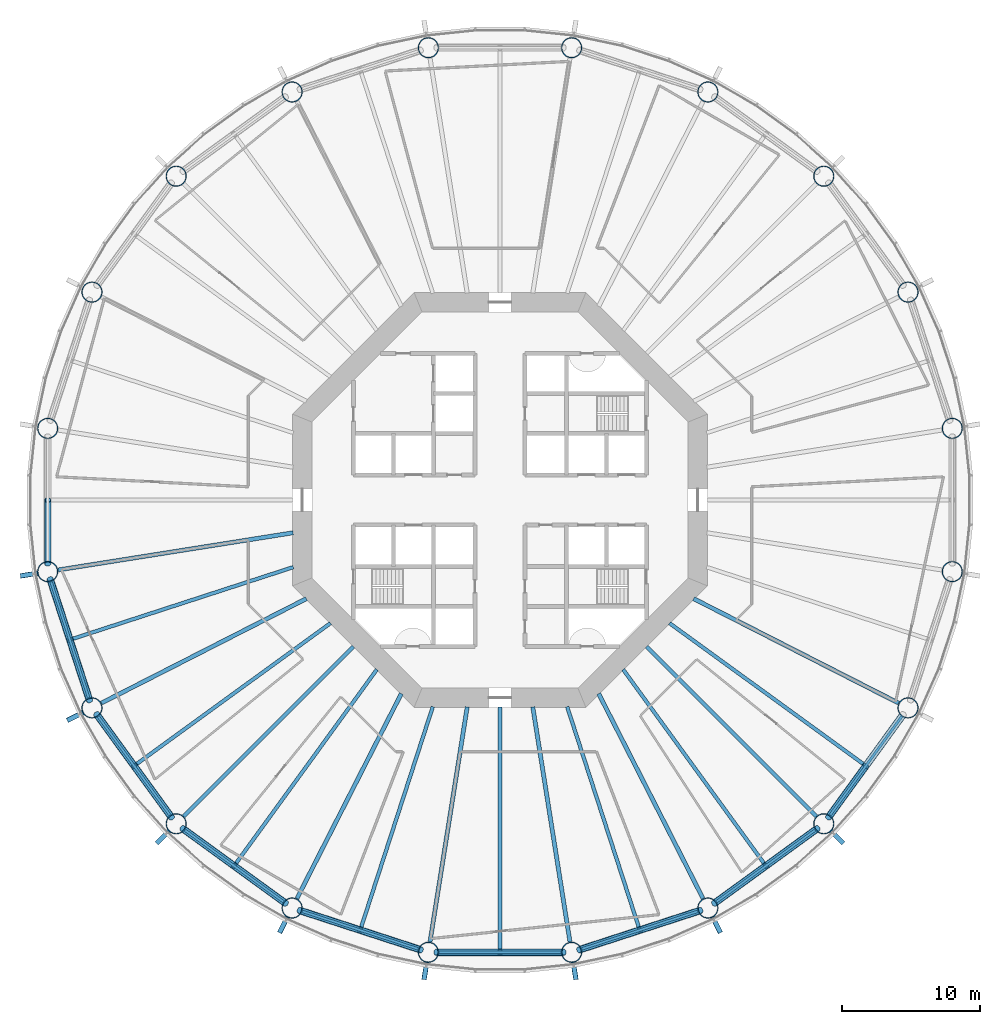
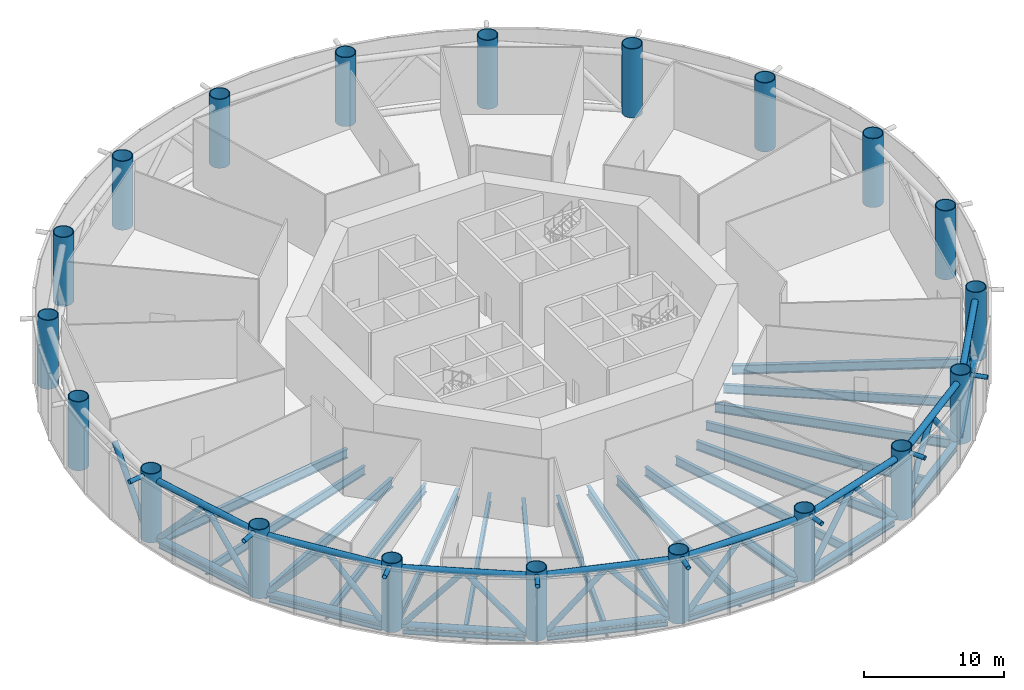
# One storey, part 1 of 14: 40 members, 25 beams, 20 columns.
"""IFC4 building model written with IfcOpenShell, lengths in metres."""

from ifc_helpers import new_model, si_unit, direction, frame, origin, origin_2d, place, context, subcontext, project, spatial, circle, hollow_circle, i_section, extrude, material, material_profile, profile_set, type_object, element, save


model = new_model("IFC4")

# Units and contexts
model_context = context("Model", 3, precision=1e-05, world=origin(), true_north=direction((0.0, 1.0)))
body_context = subcontext(model_context, "Body", "Model", "MODEL_VIEW")
ifc_project = project(units=[si_unit("LENGTHUNIT", "METRE"), si_unit("AREAUNIT", "SQUARE_METRE"), si_unit("VOLUMEUNIT", "CUBIC_METRE"), si_unit("PLANEANGLEUNIT", "RADIAN"), si_unit("MASSUNIT", "GRAM", prefix="KILO")], contexts=[model_context])

# Site, building, storey
site_placement = place(None, origin())
site = spatial("IfcSite", under=ifc_project, at=site_placement, CompositionType="ELEMENT")
building_placement = place(site_placement, origin())
building = spatial("IfcBuilding", under=site, at=building_placement, Name="Entoto Ring Tower", CompositionType="ELEMENT")
storey_placement = place(building_placement, frame((0.0, 0.0, 12.0)))
storey = spatial("IfcBuildingStorey", under=building, at=storey_placement, Name="L01", CompositionType="ELEMENT", Elevation=12.0)

# Columns
ifc_material_1 = material(Name="Steel S355", Category="steel")
ifc_material_profile_1 = material_profile(ifc_material_1, hollow_circle(Radius=0.75, WallThickness=0.06494140625, at=origin_2d()), Name="CHS 1500 x 65")
ifc_material_2 = material(Name="Concrete C60/75", Category="concrete")
ifc_material_profile_2 = material_profile(ifc_material_2, circle(Radius=0.68505859375, at=origin_2d()), Name="Concrete C60/75 infill")
ifc_profile_set_1 = profile_set([ifc_material_profile_1, ifc_material_profile_2], Name="Steel S355")
column_type = type_object("IfcColumnType", Name="Ring column 1500 x 65 concrete-filled tube", PredefinedType="COLUMN", material=ifc_profile_set_1)
for number, where, z_axis, x_axis, name in (
    (1, (122.6923828125, 85.177978515625, 0.0), (0.0, 0.0, 1.0), (1.0, 0.0, 0.0), "RC1B R01"),
    (2, (119.492431640625, 95.027099609375, 0.0), (0.0, 0.0, 1.0), (1.0, 0.0, 0.0), "RC1B R02"),
    (3, (113.4052734375, 103.4052734375, 0.0), (0.0, 0.0, 1.0), (1.0, 0.0, 0.0), "RC1B R03"),
    (4, (105.027099609375, 109.492431640625, 0.0), (0.0, 0.0, 1.0), (1.0, 0.0, 0.0), "RC1B R04"),
    (5, (95.177978515625, 112.6923828125, 0.0), (0.0, 0.0, 1.0), (1.0, 0.0, 0.0), "RC1B R05"),
    (6, (84.822021484375, 112.6923828125, 0.0), (0.0, 0.0, 1.0), (1.0, 0.0, 0.0), "RC1B R06"),
    (7, (74.972900390625, 109.492431640625, 0.0), (0.0, 0.0, 1.0), (1.0, 0.0, 0.0), "RC1B R07"),
    (8, (66.5947265625, 103.4052734375, 0.0), (0.0, 0.0, 1.0), (1.0, 0.0, 0.0), "RC1B R08"),
    (9, (60.507568359375, 95.027099609375, 0.0), (0.0, 0.0, 1.0), (1.0, 0.0, 0.0), "RC1B R09"),
    (10, (57.3076171875, 85.177978515625, 0.0), (0.0, 0.0, 1.0), (1.0, 0.0, 0.0), "RC1B R10"),
    (11, (57.3076171875, 74.822021484375, 0.0), (0.0, 0.0, 1.0), (1.0, 0.0, 0.0), "RC1B R11"),
    (12, (60.507568359375, 64.972900390625, 0.0), (0.0, 0.0, 1.0), (1.0, 0.0, 0.0), "RC1B R12"),
    (13, (66.5947265625, 56.5947265625, 0.0), (0.0, 0.0, 1.0), (1.0, 0.0, 0.0), "RC1B R13"),
    (14, (74.972900390625, 50.507568359375, 0.0), (0.0, 0.0, 1.0), (1.0, 0.0, 0.0), "RC1B R14"),
    (15, (84.822021484375, 47.3076171875, 0.0), (0.0, 0.0, 1.0), (1.0, 0.0, 0.0), "RC1B R15"),
    (16, (95.177978515625, 47.3076171875, 0.0), (0.0, 0.0, 1.0), (1.0, 0.0, 0.0), "RC1B R16"),
    (17, (105.027099609375, 50.507568359375, 0.0), (0.0, 0.0, 1.0), (1.0, 0.0, 0.0), "RC1B R17"),
    (18, (113.4052734375, 56.5947265625, 0.0), (0.0, 0.0, 1.0), (1.0, 0.0, 0.0), "RC1B R18"),
    (19, (119.492431640625, 64.972900390625, 0.0), (0.0, 0.0, 1.0), (1.0, 0.0, 0.0), "RC1B R19"),
    (20, (122.6923828125, 74.822021484375, 0.0), (0.0, 0.0, 1.0), (1.0, 0.0, 0.0), "RC1B R20"),
):
    element("IfcColumn", number, at=place(storey_placement, frame(where, z_axis=z_axis, x_axis=x_axis)), inside=storey, type_object=column_type, Name=name, PredefinedType="COLUMN", context=body_context, shape_type="SweptSolid", body=[
        extrude(hollow_circle(Radius=0.75, WallThickness=0.06494140625, at=origin_2d()), origin(), (0.0, 0.0, 1.0), 6.0),
    ])

# Members
ifc_material_3 = material(Name="Steel S355", Category="steel")
ifc_material_profile_3 = material_profile(ifc_material_3, hollow_circle(Radius=0.177734375, WallThickness=0.01611328125, at=origin_2d()), Name="CHS 355.6 x 16")
ifc_material_4 = material(Name="Concrete C60/75", Category="concrete")
ifc_material_profile_4 = material_profile(ifc_material_4, circle(Radius=0.161865234375, at=origin_2d()), Name="Concrete C60/75 infill")
ifc_profile_set_2 = profile_set([ifc_material_profile_3, ifc_material_profile_4], Name="Steel S355")
member_type_1 = type_object("IfcMemberType", Name="Diagrid node strut 355.6 x 16", PredefinedType="STRUT", material=ifc_profile_set_2)
member_1_placement = place(storey_placement, frame((56.607666015625, 74.711181640625, 5.672119140625), z_axis=(-0.98767544841, -0.156515841394, 0.0), x_axis=(0.156515841394, -0.98767544841, 0.0)))
element("IfcMember", 21, at=member_1_placement, inside=storey, type_object=member_type_1, Name="DS1 strut ring 1 10", PredefinedType="STRUT", context=body_context, shape_type="SweptSolid", body=[
    extrude(hollow_circle(Radius=0.177734375, WallThickness=0.01611328125, at=origin_2d()), origin(), (0.0, 0.0, 1.0), 1.29150390625),
])
member_2_placement = place(storey_placement, frame((59.87646484375, 64.6513671875, 5.672119140625), z_axis=(-0.890999105397, -0.454005059644, 0.0), x_axis=(0.454005059644, -0.890999105397, 0.0)))
element("IfcMember", 22, at=member_2_placement, inside=storey, type_object=member_type_1, Name="DS1 strut ring 1 11", PredefinedType="STRUT", context=body_context, shape_type="SweptSolid", body=[
    extrude(hollow_circle(Radius=0.177734375, WallThickness=0.01611328125, at=origin_2d()), origin(), (0.0, 0.0, 1.0), 1.291748046875),
])
member_3_placement = place(storey_placement, frame((66.09375, 56.09375, 5.672119140625), z_axis=(-0.707106781187, -0.707106781187, 0.0), x_axis=(0.707106781187, -0.707106781187, 0.0)))
element("IfcMember", 23, at=member_3_placement, inside=storey, type_object=member_type_1, Name="DS1 strut ring 1 12", PredefinedType="STRUT", context=body_context, shape_type="SweptSolid", body=[
    extrude(hollow_circle(Radius=0.177734375, WallThickness=0.01611328125, at=origin_2d()), origin(), (0.0, 0.0, 1.0), 1.291259765625),
])
member_4_placement = place(storey_placement, frame((74.6513671875, 49.87646484375, 5.672119140625), z_axis=(-0.454005059644, -0.890999105397, 0.0), x_axis=(0.890999105397, -0.454005059644, 0.0)))
element("IfcMember", 24, at=member_4_placement, inside=storey, type_object=member_type_1, Name="DS1 strut ring 1 13", PredefinedType="STRUT", context=body_context, shape_type="SweptSolid", body=[
    extrude(hollow_circle(Radius=0.177734375, WallThickness=0.01611328125, at=origin_2d()), origin(), (0.0, 0.0, 1.0), 1.291748046875),
])
for number, where, z_axis, x_axis, name in (
    (25, (84.711181640625, 46.607666015625, 5.672119140625), (-0.156515841394, -0.98767544841, 0.0), (0.98767544841, -0.156515841394, 0.0), "DS1 strut ring 1 14"),
    (26, (95.288818359375, 46.607666015625, 5.672119140625), (0.156515841394, -0.98767544841, 0.0), (0.98767544841, 0.156515841394, 0.0), "DS1 strut ring 1 15"),
):
    element("IfcMember", number, at=place(storey_placement, frame(where, z_axis=z_axis, x_axis=x_axis)), inside=storey, type_object=member_type_1, Name=name, PredefinedType="STRUT", context=body_context, shape_type="SweptSolid", body=[
        extrude(hollow_circle(Radius=0.177734375, WallThickness=0.01611328125, at=origin_2d()), origin(), (0.0, 0.0, 1.0), 1.29150390625),
    ])
member_5_placement = place(storey_placement, frame((105.3486328125, 49.87646484375, 5.672119140625), z_axis=(0.454005059644, -0.890999105397, 0.0), x_axis=(0.890999105397, 0.454005059644, 0.0)))
element("IfcMember", 27, at=member_5_placement, inside=storey, type_object=member_type_1, Name="DS1 strut ring 1 16", PredefinedType="STRUT", context=body_context, shape_type="SweptSolid", body=[
    extrude(hollow_circle(Radius=0.177734375, WallThickness=0.01611328125, at=origin_2d()), origin(), (0.0, 0.0, 1.0), 1.291748046875),
])
member_6_placement = place(storey_placement, frame((113.90625, 56.09375, 5.672119140625), z_axis=(0.707106781187, -0.707106781187, 0.0), x_axis=(0.707106781187, 0.707106781187, 0.0)))
element("IfcMember", 28, at=member_6_placement, inside=storey, type_object=member_type_1, Name="DS1 strut ring 1 17", PredefinedType="STRUT", context=body_context, shape_type="SweptSolid", body=[
    extrude(hollow_circle(Radius=0.177734375, WallThickness=0.01611328125, at=origin_2d()), origin(), (0.0, 0.0, 1.0), 1.291259765625),
])

# Beams
ifc_material_5 = material(Name="Steel S355", Category="steel")
ifc_material_profile_5 = material_profile(ifc_material_5, i_section(OverallWidth=0.179931640625, OverallDepth=0.39990234375, WebThickness=0.008544921875, FlangeThickness=0.013427734375, FilletRadius=0.02099609375, at=origin_2d()), Name="IPE 400")
ifc_profile_set_3 = profile_set([ifc_material_profile_5], Name="Steel S355")
beam_type_1 = type_object("IfcBeamType", Name="Edge beam IPE 400", PredefinedType="SPANDREL", material=ifc_profile_set_3)
beam_1_placement = place(storey_placement, frame((57.546875, 74.085205078125, -0.35009765625), z_axis=(0.309024639878, -0.951054032087, 0.0), x_axis=(0.951054032087, 0.309024639878, 0.0)))
element("IfcBeam", 29, at=beam_1_placement, inside=storey, type_object=beam_type_1, Name="Edge beam L01 11", PredefinedType="SPANDREL", context=body_context, shape_type="SweptSolid", body=[
    extrude(i_section(OverallWidth=0.179931640625, OverallDepth=0.39990234375, WebThickness=0.008544921875, FlangeThickness=0.013427734375, FilletRadius=0.02099609375, at=origin_2d()), origin(), (0.0, 0.0, 1.0), 8.806640625),
])
for number, where, z_axis, x_axis, name in (
    (30, (60.963134765625, 64.34619140625, -0.35009765625), (0.587785904565, -0.809016520471, 0.0), (0.809016520471, 0.587785904565, 0.0), "Edge beam L01 12"),
    (31, (67.2216796875, 56.139404296875, -0.35009765625), (0.809016520471, -0.587785904565, 0.0), (0.587785904565, 0.809016520471, 0.0), "Edge beam L01 13"),
):
    element("IfcBeam", number, at=place(storey_placement, frame(where, z_axis=z_axis, x_axis=x_axis)), inside=storey, type_object=beam_type_1, Name=name, PredefinedType="SPANDREL", context=body_context, shape_type="SweptSolid", body=[
        extrude(i_section(OverallWidth=0.179931640625, OverallDepth=0.39990234375, WebThickness=0.008544921875, FlangeThickness=0.013427734375, FilletRadius=0.02099609375, at=origin_2d()), origin(), (0.0, 0.0, 1.0), 8.806396484375),
    ])
beam_2_placement = place(storey_placement, frame((75.709716796875, 50.268310546875, -0.35009765625), z_axis=(0.951054032087, -0.309024639878, 0.0), x_axis=(0.309024639878, 0.951054032087, 0.0)))
element("IfcBeam", 32, at=beam_2_placement, inside=storey, type_object=beam_type_1, Name="Edge beam L01 14", PredefinedType="SPANDREL", context=body_context, shape_type="SweptSolid", body=[
    extrude(i_section(OverallWidth=0.179931640625, OverallDepth=0.39990234375, WebThickness=0.008544921875, FlangeThickness=0.013427734375, FilletRadius=0.02099609375, at=origin_2d()), origin(), (0.0, 0.0, 1.0), 8.806640625),
])
beam_3_placement = place(storey_placement, frame((85.596923828125, 47.3076171875, -0.35009765625), z_axis=(1.0, 0.0, 0.0), x_axis=(0.0, 1.0, 0.0)))
element("IfcBeam", 33, at=beam_3_placement, inside=storey, type_object=beam_type_1, Name="Edge beam L01 15", PredefinedType="SPANDREL", context=body_context, shape_type="SweptSolid", body=[
    extrude(i_section(OverallWidth=0.179931640625, OverallDepth=0.39990234375, WebThickness=0.008544921875, FlangeThickness=0.013427734375, FilletRadius=0.02099609375, at=origin_2d()), origin(), (0.0, 0.0, 1.0), 8.80615234375),
])
beam_4_placement = place(storey_placement, frame((95.914794921875, 47.546875, -0.35009765625), z_axis=(0.951054032087, 0.309024639878, 0.0), x_axis=(-0.309024639878, 0.951054032087, 0.0)))
element("IfcBeam", 34, at=beam_4_placement, inside=storey, type_object=beam_type_1, Name="Edge beam L01 16", PredefinedType="SPANDREL", context=body_context, shape_type="SweptSolid", body=[
    extrude(i_section(OverallWidth=0.179931640625, OverallDepth=0.39990234375, WebThickness=0.008544921875, FlangeThickness=0.013427734375, FilletRadius=0.02099609375, at=origin_2d()), origin(), (0.0, 0.0, 1.0), 8.806640625),
])
for number, where, z_axis, x_axis, name in (
    (35, (105.65380859375, 50.963134765625, -0.35009765625), (0.809016520471, 0.587785904565, 0.0), (-0.587785904565, 0.809016520471, 0.0), "Edge beam L01 17"),
    (36, (113.860595703125, 57.2216796875, -0.35009765625), (0.587785904565, 0.809016520471, 0.0), (-0.809016520471, 0.587785904565, 0.0), "Edge beam L01 18"),
):
    element("IfcBeam", number, at=place(storey_placement, frame(where, z_axis=z_axis, x_axis=x_axis)), inside=storey, type_object=beam_type_1, Name=name, PredefinedType="SPANDREL", context=body_context, shape_type="SweptSolid", body=[
        extrude(i_section(OverallWidth=0.179931640625, OverallDepth=0.39990234375, WebThickness=0.008544921875, FlangeThickness=0.013427734375, FilletRadius=0.02099609375, at=origin_2d()), origin(), (0.0, 0.0, 1.0), 8.806396484375),
    ])
ifc_material_6 = material(Name="Steel S355", Category="steel")
ifc_material_profile_6 = material_profile(ifc_material_6, i_section(OverallWidth=0.300048828125, OverallDepth=0.800048828125, WebThickness=0.017578125, FlangeThickness=0.032958984375, FilletRadius=0.030029296875, at=origin_2d()), Name="HE 800 B")
ifc_profile_set_4 = profile_set([ifc_material_profile_6], Name="Steel S355")
beam_type_2 = type_object("IfcBeamType", Name="Primary floor beam HE 800 B", PredefinedType="BEAM", material=ifc_profile_set_4)
beam_5_placement = place(storey_placement, frame((75.043212890625, 77.631103515625, -0.550048828125), z_axis=(-0.987689045065, -0.15643001713, 0.0), x_axis=(0.15643001713, -0.987689045065, 0.0)))
element("IfcBeam", 37, at=beam_5_placement, inside=storey, type_object=beam_type_2, Name="Primary L01 R11", PredefinedType="BEAM", context=body_context, shape_type="SweptSolid", body=[
    extrude(i_section(OverallWidth=0.300048828125, OverallDepth=0.800048828125, WebThickness=0.017578125, FlangeThickness=0.032958984375, FilletRadius=0.030029296875, at=origin_2d()), origin(), (0.0, 0.0, 1.0), 17.191162109375),
])
beam_6_placement = place(storey_placement, frame((76.00830078125, 72.870849609375, -0.550048828125), z_axis=(-0.891007454586, -0.453988673727, 0.0), x_axis=(0.453988673727, -0.891007454586, 0.0)))
element("IfcBeam", 38, at=beam_6_placement, inside=storey, type_object=beam_type_2, Name="Primary L01 R12", PredefinedType="BEAM", context=body_context, shape_type="SweptSolid", body=[
    extrude(i_section(OverallWidth=0.300048828125, OverallDepth=0.800048828125, WebThickness=0.017578125, FlangeThickness=0.032958984375, FilletRadius=0.030029296875, at=origin_2d()), origin(), (0.0, 0.0, 1.0), 16.631103515625),
])
beam_7_placement = place(storey_placement, frame((79.407470703125, 69.407470703125, -0.550048828125), z_axis=(-0.707106781187, -0.707106781187, 0.0), x_axis=(0.707106781187, -0.707106781187, 0.0)))
element("IfcBeam", 39, at=beam_7_placement, inside=storey, type_object=beam_type_2, Name="Primary L01 R13", PredefinedType="BEAM", context=body_context, shape_type="SweptSolid", body=[
    extrude(i_section(OverallWidth=0.300048828125, OverallDepth=0.800048828125, WebThickness=0.017578125, FlangeThickness=0.032958984375, FilletRadius=0.030029296875, at=origin_2d()), origin(), (0.0, 0.0, 1.0), 17.354248046875),
])
beam_8_placement = place(storey_placement, frame((82.870849609375, 66.00830078125, -0.550048828125), z_axis=(-0.453988673727, -0.891007454586, 0.0), x_axis=(0.891007454586, -0.453988673727, 0.0)))
element("IfcBeam", 40, at=beam_8_placement, inside=storey, type_object=beam_type_2, Name="Primary L01 R14", PredefinedType="BEAM", context=body_context, shape_type="SweptSolid", body=[
    extrude(i_section(OverallWidth=0.300048828125, OverallDepth=0.800048828125, WebThickness=0.017578125, FlangeThickness=0.032958984375, FilletRadius=0.030029296875, at=origin_2d()), origin(), (0.0, 0.0, 1.0), 16.631103515625),
])
for number, where, z_axis, x_axis, name in (
    (41, (87.631103515625, 65.043212890625, -0.550048828125), (-0.15643001713, -0.987689045065, 0.0), (0.987689045065, -0.15643001713, 0.0), "Primary L01 R15"),
    (42, (92.368896484375, 65.043212890625, -0.550048828125), (0.15643001713, -0.987689045065, 0.0), (0.987689045065, 0.15643001713, 0.0), "Primary L01 R16"),
):
    element("IfcBeam", number, at=place(storey_placement, frame(where, z_axis=z_axis, x_axis=x_axis)), inside=storey, type_object=beam_type_2, Name=name, PredefinedType="BEAM", context=body_context, shape_type="SweptSolid", body=[
        extrude(i_section(OverallWidth=0.300048828125, OverallDepth=0.800048828125, WebThickness=0.017578125, FlangeThickness=0.032958984375, FilletRadius=0.030029296875, at=origin_2d()), origin(), (0.0, 0.0, 1.0), 17.191162109375),
    ])
beam_9_placement = place(storey_placement, frame((97.129150390625, 66.00830078125, -0.550048828125), z_axis=(0.453988673727, -0.891007454586, 0.0), x_axis=(0.891007454586, 0.453988673727, 0.0)))
element("IfcBeam", 43, at=beam_9_placement, inside=storey, type_object=beam_type_2, Name="Primary L01 R17", PredefinedType="BEAM", context=body_context, shape_type="SweptSolid", body=[
    extrude(i_section(OverallWidth=0.300048828125, OverallDepth=0.800048828125, WebThickness=0.017578125, FlangeThickness=0.032958984375, FilletRadius=0.030029296875, at=origin_2d()), origin(), (0.0, 0.0, 1.0), 16.631103515625),
])
beam_10_placement = place(storey_placement, frame((100.592529296875, 69.407470703125, -0.550048828125), z_axis=(0.707106781187, -0.707106781187, 0.0), x_axis=(0.707106781187, 0.707106781187, 0.0)))
element("IfcBeam", 44, at=beam_10_placement, inside=storey, type_object=beam_type_2, Name="Primary L01 R18", PredefinedType="BEAM", context=body_context, shape_type="SweptSolid", body=[
    extrude(i_section(OverallWidth=0.300048828125, OverallDepth=0.800048828125, WebThickness=0.017578125, FlangeThickness=0.032958984375, FilletRadius=0.030029296875, at=origin_2d()), origin(), (0.0, 0.0, 1.0), 17.354248046875),
])
beam_11_placement = place(storey_placement, frame((103.99169921875, 72.870849609375, -0.550048828125), z_axis=(0.891007454586, -0.453988673727, 0.0), x_axis=(0.453988673727, 0.891007454586, 0.0)))
element("IfcBeam", 45, at=beam_11_placement, inside=storey, type_object=beam_type_2, Name="Primary L01 R19", PredefinedType="BEAM", context=body_context, shape_type="SweptSolid", body=[
    extrude(i_section(OverallWidth=0.300048828125, OverallDepth=0.800048828125, WebThickness=0.017578125, FlangeThickness=0.032958984375, FilletRadius=0.030029296875, at=origin_2d()), origin(), (0.0, 0.0, 1.0), 16.631103515625),
])

# Members
ifc_material_7 = material(Name="Steel S355", Category="steel")
ifc_material_profile_7 = material_profile(ifc_material_7, hollow_circle(Radius=0.25390625, WallThickness=0.030029296875, at=origin_2d()), Name="CHS 508 x 30")
ifc_material_8 = material(Name="Concrete C60/75", Category="concrete")
ifc_material_profile_8 = material_profile(ifc_material_8, circle(Radius=0.22412109375, at=origin_2d()), Name="Concrete C60/75 infill")
ifc_profile_set_5 = profile_set([ifc_material_profile_7, ifc_material_profile_8], Name="Steel S355")
member_type_2 = type_object("IfcMemberType", Name="Ring truss chord 508 x 30", PredefinedType="CHORD", material=ifc_profile_set_5)
for number, where, z_axis, x_axis, name in (
    (46, (57.519287109375, 74.169921875, 0.25390625), (0.309036918083, -0.951050042459, 0.0), (0.951050042459, 0.309036918083, 0.0), "BT1 L01 bottom 11"),
    (47, (57.519287109375, 74.169921875, 5.196044921875), (0.309036918083, -0.951050042459, 0.0), (0.951050042459, 0.309036918083, 0.0), "BT1 L01 top 11"),
):
    element("IfcMember", number, at=place(storey_placement, frame(where, z_axis=z_axis, x_axis=x_axis)), inside=storey, type_object=member_type_2, Name=name, PredefinedType="CHORD", context=body_context, shape_type="SweptSolid", body=[
        extrude(hollow_circle(Radius=0.25390625, WallThickness=0.030029296875, at=origin_2d()), origin(), (0.0, 0.0, 1.0), 8.984619140625),
    ])
for number, where, z_axis, x_axis, name in (
    (48, (60.91064453125, 64.418212890625, 0.25390625), (0.587796800063, -0.809008604303, 0.0), (0.809008604303, 0.587796800063, 0.0), "BT1 L01 bottom 12"),
    (49, (60.91064453125, 64.418212890625, 5.196044921875), (0.587796800063, -0.809008604303, 0.0), (0.809008604303, 0.587796800063, 0.0), "BT1 L01 top 12"),
    (50, (67.1494140625, 56.19189453125, 0.25390625), (0.809008604303, -0.587796800063, 0.0), (0.587796800063, 0.809008604303, 0.0), "BT1 L01 bottom 13"),
    (51, (67.1494140625, 56.19189453125, 5.196044921875), (0.809008604303, -0.587796800063, 0.0), (0.587796800063, 0.809008604303, 0.0), "BT1 L01 top 13"),
):
    element("IfcMember", number, at=place(storey_placement, frame(where, z_axis=z_axis, x_axis=x_axis)), inside=storey, type_object=member_type_2, Name=name, PredefinedType="CHORD", context=body_context, shape_type="SweptSolid", body=[
        extrude(hollow_circle(Radius=0.25390625, WallThickness=0.030029296875, at=origin_2d()), origin(), (0.0, 0.0, 1.0), 8.98486328125),
    ])
for number, where, z_axis, x_axis, name in (
    (52, (75.625, 50.2958984375, 0.25390625), (0.951050042459, -0.309036918083, 0.0), (0.309036918083, 0.951050042459, 0.0), "BT1 L01 bottom 14"),
    (53, (75.625, 50.2958984375, 5.196044921875), (0.951050042459, -0.309036918083, 0.0), (0.309036918083, 0.951050042459, 0.0), "BT1 L01 top 14"),
):
    element("IfcMember", number, at=place(storey_placement, frame(where, z_axis=z_axis, x_axis=x_axis)), inside=storey, type_object=member_type_2, Name=name, PredefinedType="CHORD", context=body_context, shape_type="SweptSolid", body=[
        extrude(hollow_circle(Radius=0.25390625, WallThickness=0.030029296875, at=origin_2d()), origin(), (0.0, 0.0, 1.0), 8.984619140625),
    ])
for number, where, z_axis, x_axis, name in (
    (54, (85.507568359375, 47.3076171875, 0.25390625), (1.0, 0.0, 0.0), (0.0, 1.0, 0.0), "BT1 L01 bottom 15"),
    (55, (85.507568359375, 47.3076171875, 5.196044921875), (1.0, 0.0, 0.0), (0.0, 1.0, 0.0), "BT1 L01 top 15"),
):
    element("IfcMember", number, at=place(storey_placement, frame(where, z_axis=z_axis, x_axis=x_axis)), inside=storey, type_object=member_type_2, Name=name, PredefinedType="CHORD", context=body_context, shape_type="SweptSolid", body=[
        extrude(hollow_circle(Radius=0.25390625, WallThickness=0.030029296875, at=origin_2d()), origin(), (0.0, 0.0, 1.0), 8.98486328125),
    ])
for number, where, z_axis, x_axis, name in (
    (56, (95.830078125, 47.519287109375, 0.25390625), (0.951050042459, 0.309036918083, 0.0), (-0.309036918083, 0.951050042459, 0.0), "BT1 L01 bottom 16"),
    (57, (95.830078125, 47.519287109375, 5.196044921875), (0.951050042459, 0.309036918083, 0.0), (-0.309036918083, 0.951050042459, 0.0), "BT1 L01 top 16"),
):
    element("IfcMember", number, at=place(storey_placement, frame(where, z_axis=z_axis, x_axis=x_axis)), inside=storey, type_object=member_type_2, Name=name, PredefinedType="CHORD", context=body_context, shape_type="SweptSolid", body=[
        extrude(hollow_circle(Radius=0.25390625, WallThickness=0.030029296875, at=origin_2d()), origin(), (0.0, 0.0, 1.0), 8.984619140625),
    ])
for number, where, z_axis, x_axis, name in (
    (58, (105.581787109375, 50.91064453125, 0.25390625), (0.809008604303, 0.587796800063, 0.0), (-0.587796800063, 0.809008604303, 0.0), "BT1 L01 bottom 17"),
    (59, (105.581787109375, 50.91064453125, 5.196044921875), (0.809008604303, 0.587796800063, 0.0), (-0.587796800063, 0.809008604303, 0.0), "BT1 L01 top 17"),
    (60, (113.80810546875, 57.1494140625, 0.25390625), (0.587796800063, 0.809008604303, 0.0), (-0.809008604303, 0.587796800063, 0.0), "BT1 L01 bottom 18"),
    (61, (113.80810546875, 57.1494140625, 5.196044921875), (0.587796800063, 0.809008604303, 0.0), (-0.809008604303, 0.587796800063, 0.0), "BT1 L01 top 18"),
):
    element("IfcMember", number, at=place(storey_placement, frame(where, z_axis=z_axis, x_axis=x_axis)), inside=storey, type_object=member_type_2, Name=name, PredefinedType="CHORD", context=body_context, shape_type="SweptSolid", body=[
        extrude(hollow_circle(Radius=0.25390625, WallThickness=0.030029296875, at=origin_2d()), origin(), (0.0, 0.0, 1.0), 8.98486328125),
    ])
ifc_material_9 = material(Name="Steel S355", Category="steel")
ifc_material_profile_9 = material_profile(ifc_material_9, hollow_circle(Radius=0.228515625, WallThickness=0.02001953125, at=origin_2d()), Name="CHS 457 x 20")
ifc_material_10 = material(Name="Concrete C60/75", Category="concrete")
ifc_material_profile_10 = material_profile(ifc_material_10, circle(Radius=0.20849609375, at=origin_2d()), Name="Concrete C60/75 infill")
ifc_profile_set_6 = profile_set([ifc_material_profile_9, ifc_material_profile_10], Name="Steel S355")
member_type_3 = type_object("IfcMemberType", Name="Ring truss diagonal 457 x 20", PredefinedType="BRACE", material=ifc_profile_set_6)
member_7_placement = place(storey_placement, frame((57.3076171875, 80.0, 5.196044921875), z_axis=(0.0, -0.667307933616, -0.744781928979), x_axis=(1.0, 0.0, 0.0)))
element("IfcMember", 62, at=member_7_placement, inside=storey, type_object=member_type_3, Name="BT2 L01 10 b", PredefinedType="BRACE", context=body_context, shape_type="SweptSolid", body=[
    extrude(hollow_circle(Radius=0.228515625, WallThickness=0.02001953125, at=origin_2d()), origin(), (0.0, 0.0, 1.0), 6.91064453125),
])
member_8_placement = place(storey_placement, frame((57.482666015625, 74.283447265625, 0.049072265625), z_axis=(0.206206466125, -0.634658071601, 0.744773808266), x_axis=(0.951059353245, 0.309008263005, 0.0)))
element("IfcMember", 63, at=member_8_placement, inside=storey, type_object=member_type_3, Name="BT2 L01 11 a", PredefinedType="BRACE", context=body_context, shape_type="SweptSolid", body=[
    extrude(hollow_circle(Radius=0.228515625, WallThickness=0.02001953125, at=origin_2d()), origin(), (0.0, 0.0, 1.0), 6.910888671875),
])
for number, where, z_axis, x_axis, name in (
    (64, (58.90771484375, 69.8974609375, 5.196044921875), (0.20621108948, -0.634636973002, -0.744790506837), (0.95105429787, 0.309023821903, 0.0), "BT2 L01 11 b"),
    (65, (60.840576171875, 64.5146484375, 0.049072265625), (0.392247363415, -0.539847965446, 0.744785996174), (0.808999280003, 0.587809633262, 0.0), "BT2 L01 12 a"),
    (66, (63.55126953125, 60.783935546875, 5.196044921875), (0.392209989723, -0.539880477657, -0.744782111632), (0.809042745321, 0.587749807522, 0.0), "BT2 L01 12 b"),
    (67, (67.052978515625, 56.26171875, 0.049072265625), (0.539880477657, -0.392209989723, 0.744782111632), (0.587749807522, 0.809042745321, 0.0), "BT2 L01 13 a"),
    (68, (70.783935546875, 53.55126953125, 5.196044921875), (0.539847965446, -0.392247363415, -0.744785996174), (0.587809633262, 0.808999280003, 0.0), "BT2 L01 13 b"),
    (69, (75.51171875, 50.332763671875, 0.049072265625), (0.634636973002, -0.20621108948, 0.744790506837), (0.309023821903, 0.95105429787, 0.0), "BT2 L01 14 a"),
):
    element("IfcMember", number, at=place(storey_placement, frame(where, z_axis=z_axis, x_axis=x_axis)), inside=storey, type_object=member_type_3, Name=name, PredefinedType="BRACE", context=body_context, shape_type="SweptSolid", body=[
        extrude(hollow_circle(Radius=0.228515625, WallThickness=0.02001953125, at=origin_2d()), origin(), (0.0, 0.0, 1.0), 6.91064453125),
    ])
member_9_placement = place(storey_placement, frame((79.8974609375, 48.90771484375, 5.196044921875), z_axis=(0.634658071601, -0.206206466125, -0.744773808266), x_axis=(0.309008263005, 0.951059353245, 0.0)))
element("IfcMember", 70, at=member_9_placement, inside=storey, type_object=member_type_3, Name="BT2 L01 14 b", PredefinedType="BRACE", context=body_context, shape_type="SweptSolid", body=[
    extrude(hollow_circle(Radius=0.228515625, WallThickness=0.02001953125, at=origin_2d()), origin(), (0.0, 0.0, 1.0), 6.910888671875),
])
for number, where, z_axis, x_axis, name in (
    (71, (85.388427734375, 47.3076171875, 0.049072265625), (0.667307933616, 0.0, 0.744781928979), (0.0, 1.0, 0.0), "BT2 L01 15 a"),
    (72, (90.0, 47.3076171875, 5.196044921875), (0.667307933616, 0.0, -0.744781928979), (0.0, 1.0, 0.0), "BT2 L01 15 b"),
):
    element("IfcMember", number, at=place(storey_placement, frame(where, z_axis=z_axis, x_axis=x_axis)), inside=storey, type_object=member_type_3, Name=name, PredefinedType="BRACE", context=body_context, shape_type="SweptSolid", body=[
        extrude(hollow_circle(Radius=0.228515625, WallThickness=0.02001953125, at=origin_2d()), origin(), (0.0, 0.0, 1.0), 6.91064453125),
    ])
member_10_placement = place(storey_placement, frame((95.716552734375, 47.482666015625, 0.049072265625), z_axis=(0.634658071601, 0.206206466125, 0.744773808266), x_axis=(-0.309008263005, 0.951059353245, 0.0)))
element("IfcMember", 73, at=member_10_placement, inside=storey, type_object=member_type_3, Name="BT2 L01 16 a", PredefinedType="BRACE", context=body_context, shape_type="SweptSolid", body=[
    extrude(hollow_circle(Radius=0.228515625, WallThickness=0.02001953125, at=origin_2d()), origin(), (0.0, 0.0, 1.0), 6.910888671875),
])
for number, where, z_axis, x_axis, name in (
    (74, (100.1025390625, 48.90771484375, 5.196044921875), (0.634636973002, 0.20621108948, -0.744790506837), (-0.309023821903, 0.95105429787, 0.0), "BT2 L01 16 b"),
    (75, (105.4853515625, 50.840576171875, 0.049072265625), (0.539847965446, 0.392247363415, 0.744785996174), (-0.587809633262, 0.808999280003, 0.0), "BT2 L01 17 a"),
    (76, (109.216064453125, 53.55126953125, 5.196044921875), (0.539880477657, 0.392209989723, -0.744782111632), (-0.587749807522, 0.809042745321, 0.0), "BT2 L01 17 b"),
    (77, (113.73828125, 57.052978515625, 0.049072265625), (0.392209989723, 0.539880477657, 0.744782111632), (-0.809042745321, 0.587749807522, 0.0), "BT2 L01 18 a"),
):
    element("IfcMember", number, at=place(storey_placement, frame(where, z_axis=z_axis, x_axis=x_axis)), inside=storey, type_object=member_type_3, Name=name, PredefinedType="BRACE", context=body_context, shape_type="SweptSolid", body=[
        extrude(hollow_circle(Radius=0.228515625, WallThickness=0.02001953125, at=origin_2d()), origin(), (0.0, 0.0, 1.0), 6.91064453125),
    ])

# Beams
ifc_material_11 = material(Name="Steel S355", Category="steel")
ifc_material_profile_11 = material_profile(ifc_material_11, i_section(OverallWidth=0.262939453125, OverallDepth=0.7529296875, WebThickness=0.011474609375, FlangeThickness=0.01708984375, FilletRadius=0.01708984375, at=origin_2d()), Name="IPE 750 x 137")
ifc_profile_set_7 = profile_set([ifc_material_profile_11], Name="Steel S355")
beam_type_3 = type_object("IfcBeamType", Name="Secondary floor beam IPE 750 x 137", PredefinedType="JOIST", material=ifc_profile_set_7)
beam_12_placement = place(storey_placement, frame((75.0595703125, 75.1455078125, -0.526611328125), z_axis=(-0.951057855768, -0.30901287187, 0.0), x_axis=(0.30901287187, -0.951057855768, 0.0)))
element("IfcBeam", 78, at=beam_12_placement, inside=storey, type_object=beam_type_3, Name="Secondary beam L01 11", PredefinedType="JOIST", context=body_context, shape_type="SweptSolid", body=[
    extrude(i_section(OverallWidth=0.262939453125, OverallDepth=0.7529296875, WebThickness=0.011474609375, FlangeThickness=0.01708984375, FilletRadius=0.01708984375, at=origin_2d()), origin(), (0.0, 0.0, 1.0), 16.893310546875),
])
for number, where, z_axis, x_axis, name in (
    (79, (77.74658203125, 71.097412109375, -0.526611328125), (-0.809014194973, -0.58778910532, 0.0), (0.58778910532, -0.809014194973, 0.0), "Secondary beam L01 12"),
    (80, (81.097412109375, 67.74658203125, -0.526611328125), (-0.58778910532, -0.809014194973, 0.0), (0.809014194973, -0.58778910532, 0.0), "Secondary beam L01 13"),
):
    element("IfcBeam", number, at=place(storey_placement, frame(where, z_axis=z_axis, x_axis=x_axis)), inside=storey, type_object=beam_type_3, Name=name, PredefinedType="JOIST", context=body_context, shape_type="SweptSolid", body=[
        extrude(i_section(OverallWidth=0.262939453125, OverallDepth=0.7529296875, WebThickness=0.011474609375, FlangeThickness=0.01708984375, FilletRadius=0.01708984375, at=origin_2d()), origin(), (0.0, 0.0, 1.0), 17.45654296875),
    ])
beam_13_placement = place(storey_placement, frame((85.1455078125, 65.0595703125, -0.526611328125), z_axis=(-0.30901287187, -0.951057855768, 0.0), x_axis=(0.951057855768, -0.30901287187, 0.0)))
element("IfcBeam", 81, at=beam_13_placement, inside=storey, type_object=beam_type_3, Name="Secondary beam L01 14", PredefinedType="JOIST", context=body_context, shape_type="SweptSolid", body=[
    extrude(i_section(OverallWidth=0.262939453125, OverallDepth=0.7529296875, WebThickness=0.011474609375, FlangeThickness=0.01708984375, FilletRadius=0.01708984375, at=origin_2d()), origin(), (0.0, 0.0, 1.0), 16.893310546875),
])
beam_14_placement = place(storey_placement, frame((90.0, 65.02001953125, -0.526611328125), z_axis=(0.0, -1.0, 0.0), x_axis=(1.0, 0.0, 0.0)))
element("IfcBeam", 82, at=beam_14_placement, inside=storey, type_object=beam_type_3, Name="Secondary beam L01 15", PredefinedType="JOIST", context=body_context, shape_type="SweptSolid", body=[
    extrude(i_section(OverallWidth=0.262939453125, OverallDepth=0.7529296875, WebThickness=0.011474609375, FlangeThickness=0.01708984375, FilletRadius=0.01708984375, at=origin_2d()), origin(), (0.0, 0.0, 1.0), 17.62255859375),
])
beam_15_placement = place(storey_placement, frame((94.8544921875, 65.0595703125, -0.526611328125), z_axis=(0.30901287187, -0.951057855768, 0.0), x_axis=(0.951057855768, 0.30901287187, 0.0)))
element("IfcBeam", 83, at=beam_15_placement, inside=storey, type_object=beam_type_3, Name="Secondary beam L01 16", PredefinedType="JOIST", context=body_context, shape_type="SweptSolid", body=[
    extrude(i_section(OverallWidth=0.262939453125, OverallDepth=0.7529296875, WebThickness=0.011474609375, FlangeThickness=0.01708984375, FilletRadius=0.01708984375, at=origin_2d()), origin(), (0.0, 0.0, 1.0), 16.893310546875),
])
for number, where, z_axis, x_axis, name in (
    (84, (98.902587890625, 67.74658203125, -0.526611328125), (0.58778910532, -0.809014194973, 0.0), (0.809014194973, 0.58778910532, 0.0), "Secondary beam L01 17"),
    (85, (102.25341796875, 71.097412109375, -0.526611328125), (0.809014194973, -0.58778910532, 0.0), (0.58778910532, 0.809014194973, 0.0), "Secondary beam L01 18"),
):
    element("IfcBeam", number, at=place(storey_placement, frame(where, z_axis=z_axis, x_axis=x_axis)), inside=storey, type_object=beam_type_3, Name=name, PredefinedType="JOIST", context=body_context, shape_type="SweptSolid", body=[
        extrude(i_section(OverallWidth=0.262939453125, OverallDepth=0.7529296875, WebThickness=0.011474609375, FlangeThickness=0.01708984375, FilletRadius=0.01708984375, at=origin_2d()), origin(), (0.0, 0.0, 1.0), 17.45654296875),
    ])

save(model, "model.ifc")
